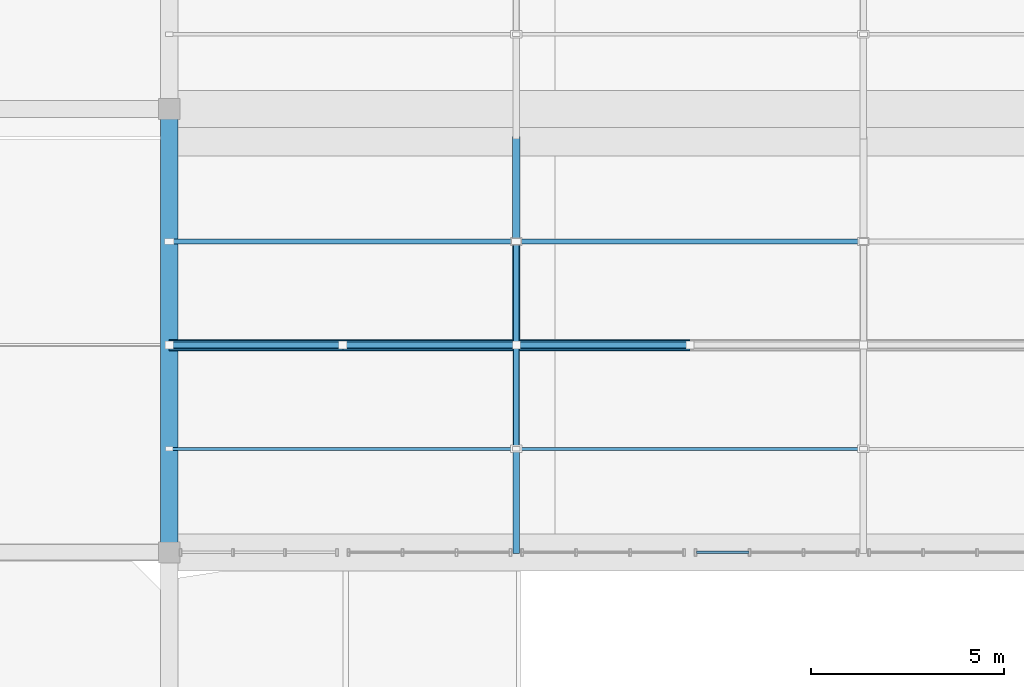
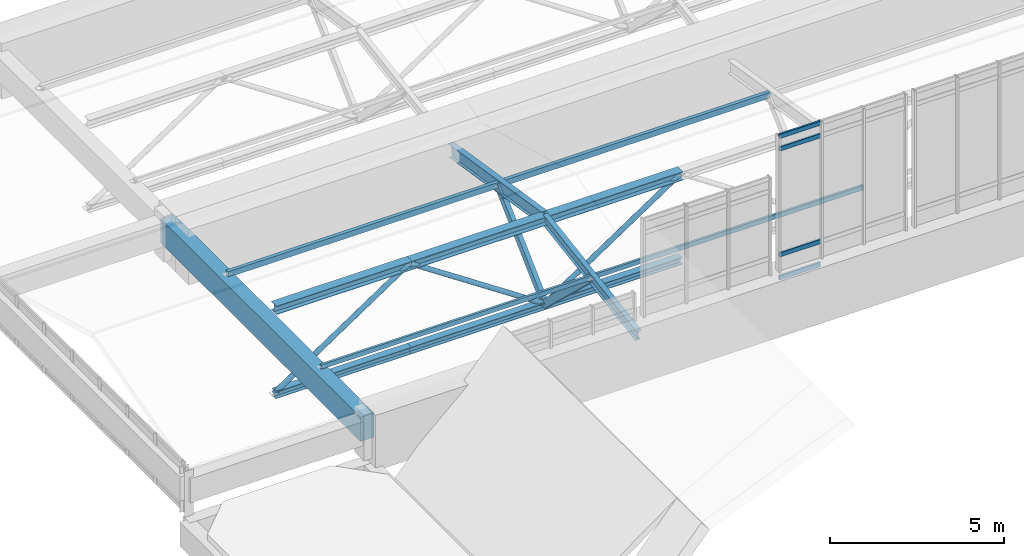
# One storey, part 49 of 82: 21 members, 1 beam, 1 element without a shape of its own.
"""IFC4 building model written with IfcOpenShell, lengths in metres."""

from ifc_helpers import new_model, si_unit, direction, frame, origin, origin_2d, place, context, subcontext, project, spatial, rectangle, hollow_rectangle, hollow_circle, i_section, extrude, material, layer, layer_set, material_profile, profile_set, type_object, element, aggregate, save


model = new_model("IFC4")

# Units and contexts
model_context = context("Model", 3, precision=1e-05, world=origin(), true_north=direction((0.0, 1.0)))
body_context = subcontext(model_context, "Body", "Model", "MODEL_VIEW")
ifc_project = project(units=[si_unit("LENGTHUNIT", "METRE"), si_unit("AREAUNIT", "SQUARE_METRE"), si_unit("VOLUMEUNIT", "CUBIC_METRE"), si_unit("PLANEANGLEUNIT", "RADIAN"), si_unit("MASSUNIT", "GRAM", prefix="KILO")], contexts=[model_context])

# Site, building, storey
site_placement = place(None, origin())
site = spatial("IfcSite", under=ifc_project, at=site_placement, CompositionType="ELEMENT")
building_placement = place(site_placement, origin())
building = spatial("IfcBuilding", under=site, at=building_placement, Name="Mersad Railyard Sports Hall", CompositionType="ELEMENT")
storey_placement = place(building_placement, frame((0.0, 0.0, 13.199951171875)))
storey = spatial("IfcBuildingStorey", under=building, at=storey_placement, Name="L03", CompositionType="ELEMENT", Elevation=13.199951171875)

# Curtain wall, members
ifc_material_1 = material(Name="Aluminium 6063-T6", Category="aluminium")
ifc_layer = layer(ifc_material_1, 0.199951171875)
ifc_layer_set = layer_set([ifc_layer], Name="Aluminium 6063-T6")
curtain_wall_type = type_object("IfcCurtainWallType", Name="ARC-CW-CW47", PredefinedType="USERDEFINED", material=ifc_layer_set)
curtain_wall_placement = place(storey_placement, origin())
curtain_wall = element("IfcCurtainWall", 1, at=curtain_wall_placement, inside=storey, type_object=curtain_wall_type, Name="Curtain wall CW47-0119", ObjectType="CURTAIN WALL", PredefinedType="USERDEFINED")
ifc_material_profile_1 = material_profile(ifc_material_1, hollow_rectangle(XDim=0.06494140625, YDim=0.14990234375, WallThickness=0.00439453125, at=origin_2d()), Name="AL TRANSOM 65x150x4.5")
ifc_profile_set_1 = profile_set([ifc_material_profile_1], Name="Aluminium 6063-T6")
member_type_1 = type_object("IfcMemberType", Name="ARC-CW-TRN02", PredefinedType="USERDEFINED", material=ifc_profile_set_1)
member_1_placement = place(storey_placement, frame((150.669921875, 73.5, 1.39013671875), z_axis=(1.0, 0.0, 0.0), x_axis=(0.0, 1.0, 0.0)))
member_1 = element("IfcMember", 2, at=member_1_placement, type_object=member_type_1, Name="CW47 Transom 1-1", ObjectType="TRANSOM", PredefinedType="USERDEFINED", context=body_context, shape_type="SweptSolid", body=[
    extrude(hollow_rectangle(XDim=0.06494140625, YDim=0.14990234375, WallThickness=0.00439453125, at=origin_2d()), origin(), (0.0, 0.0, 1.0), 1.360107421875),
])
member_2_placement = place(storey_placement, frame((150.669921875, 73.5, 2.199951171875), z_axis=(1.0, 0.0, 0.0), x_axis=(0.0, 1.0, 0.0)))
member_2 = element("IfcMember", 3, at=member_2_placement, type_object=member_type_1, Name="CW47 Transom 2-1", ObjectType="TRANSOM", PredefinedType="USERDEFINED", context=body_context, shape_type="SweptSolid", body=[
    extrude(hollow_rectangle(XDim=0.06494140625, YDim=0.14990234375, WallThickness=0.00439453125, at=origin_2d()), origin(), (0.0, 0.0, 1.0), 1.360107421875),
])
member_3_placement = place(storey_placement, frame((150.669921875, 73.5, 5.9150390625), z_axis=(1.0, 0.0, 0.0), x_axis=(0.0, 1.0, 0.0)))
member_3 = element("IfcMember", 4, at=member_3_placement, type_object=member_type_1, Name="CW47 Transom 3-1", ObjectType="TRANSOM", PredefinedType="USERDEFINED", context=body_context, shape_type="SweptSolid", body=[
    extrude(hollow_rectangle(XDim=0.06494140625, YDim=0.14990234375, WallThickness=0.00439453125, at=origin_2d()), origin(), (0.0, 0.0, 1.0), 1.360107421875),
])
member_4_placement = place(storey_placement, frame((150.669921875, 73.5, 6.35498046875), z_axis=(1.0, 0.0, 0.0), x_axis=(0.0, 1.0, 0.0)))
member_4 = element("IfcMember", 5, at=member_4_placement, type_object=member_type_1, Name="CW47 Transom 4-1", ObjectType="TRANSOM", PredefinedType="USERDEFINED", context=body_context, shape_type="SweptSolid", body=[
    extrude(hollow_rectangle(XDim=0.06494140625, YDim=0.14990234375, WallThickness=0.00439453125, at=origin_2d()), origin(), (0.0, 0.0, 1.0), 1.360107421875),
])
aggregate(curtain_wall, [member_1, member_2, member_3, member_4])

# Beam
ifc_material_2 = material(Name="Concrete C40/50", Category="concrete")
ifc_material_profile_2 = material_profile(ifc_material_2, rectangle(XDim=0.449951171875, YDim=0.85009765625, at=origin_2d()), Name="RC 450x850")
ifc_profile_set_2 = profile_set([ifc_material_profile_2], Name="Concrete C40/50")
beam_type = type_object("IfcBeamType", Name="STR-BM-B02", PredefinedType="BEAM", material=ifc_profile_set_2)
beam_placement = place(storey_placement, frame((137.0, 73.5, 0.925048828125), z_axis=(0.0, 1.0, 0.0), x_axis=(-1.0, 0.0, 0.0)))
element("IfcBeam", 6, at=beam_placement, inside=storey, type_object=beam_type, Name="Beam B02-0912", PredefinedType="BEAM", context=body_context, shape_type="SweptSolid", body=[
    extrude(rectangle(XDim=0.449951171875, YDim=0.85009765625, at=origin_2d()), origin(), (0.0, 0.0, 1.0), 11.5),
])

# Members
ifc_material_3 = material(Name="Steel S355", Category="steel")
ifc_material_profile_3 = material_profile(ifc_material_3, hollow_circle(Radius=0.084228515625, WallThickness=0.008056640625, at=origin_2d()), Name="CHS 168.3x8")
ifc_profile_set_3 = profile_set([ifc_material_profile_3], Name="Steel S355")
member_type_2 = type_object("IfcMemberType", Name="STR-MEM-BR03", PredefinedType="BRACE", material=ifc_profile_set_3)
for number, where, z_axis, x_axis, name in (
    (7, (137.0, 78.875, -1.14990234375), (0.832050294338, 0.0, 0.554700196225), (0.0, 1.0, 0.0), "Structural member BR03-0216"),
    (8, (141.5, 78.875, 1.85009765625), (0.832050294338, 0.0, -0.554700196225), (0.0, 1.0, 0.0), "Structural member BR03-0219"),
    (9, (146.0, 78.875, -1.14990234375), (0.832050294338, 0.0, 0.554700196225), (0.0, 1.0, 0.0), "Structural member BR03-0222"),
):
    element("IfcMember", number, at=place(storey_placement, frame(where, z_axis=z_axis, x_axis=x_axis)), inside=storey, type_object=member_type_2, Name=name, PredefinedType="BRACE", context=body_context, shape_type="SweptSolid", body=[
        extrude(hollow_circle(Radius=0.084228515625, WallThickness=0.008056640625, at=origin_2d()), origin(), (0.0, 0.0, 1.0), 5.408447265625),
    ])
ifc_material_profile_4 = material_profile(ifc_material_3, i_section(OverallWidth=0.239990234375, OverallDepth=0.239990234375, WebThickness=0.010009765625, FlangeThickness=0.01708984375, at=origin_2d()), Name="HEB 240")
ifc_profile_set_4 = profile_set([ifc_material_profile_4], Name="Steel S355")
member_type_3 = type_object("IfcMemberType", Name="STR-MEM-CH01", PredefinedType="CHORD", material=ifc_profile_set_4)
for number, where, z_axis, x_axis, name in (
    (10, (137.0, 78.875, -1.14990234375), (1.0, 0.0, 0.0), (0.0, 1.0, 0.0), "Structural member CH01-0215"),
    (11, (141.5, 78.875, -1.14990234375), (1.0, 0.0, 0.0), (0.0, 1.0, 0.0), "Structural member CH01-0218"),
    (12, (146.0, 78.875, -1.14990234375), (1.0, 0.0, 0.0), (0.0, 1.0, 0.0), "Structural member CH01-0221"),
):
    element("IfcMember", number, at=place(storey_placement, frame(where, z_axis=z_axis, x_axis=x_axis)), inside=storey, type_object=member_type_3, Name=name, PredefinedType="CHORD", context=body_context, shape_type="SweptSolid", body=[
        extrude(i_section(OverallWidth=0.239990234375, OverallDepth=0.239990234375, WebThickness=0.010009765625, FlangeThickness=0.01708984375, at=origin_2d()), origin(), (0.0, 0.0, 1.0), 4.5),
    ])
ifc_material_profile_5 = material_profile(ifc_material_3, i_section(OverallWidth=0.300048828125, OverallDepth=0.300048828125, WebThickness=0.010986328125, FlangeThickness=0.01904296875, at=origin_2d()), Name="HEB 300")
ifc_profile_set_5 = profile_set([ifc_material_profile_5], Name="Steel S355")
member_type_4 = type_object("IfcMemberType", Name="STR-MEM-CH02", PredefinedType="CHORD", material=ifc_profile_set_5)
for number, where, z_axis, x_axis, name in (
    (13, (137.0, 78.875, 1.85009765625), (1.0, 0.0, 0.0), (0.0, 1.0, 0.0), "Structural member CH02-0214"),
    (14, (141.5, 78.875, 1.85009765625), (1.0, 0.0, 0.0), (0.0, 1.0, 0.0), "Structural member CH02-0217"),
    (15, (146.0, 78.875, 1.85009765625), (1.0, 0.0, 0.0), (0.0, 1.0, 0.0), "Structural member CH02-0220"),
):
    element("IfcMember", number, at=place(storey_placement, frame(where, z_axis=z_axis, x_axis=x_axis)), inside=storey, type_object=member_type_4, Name=name, PredefinedType="CHORD", context=body_context, shape_type="SweptSolid", body=[
        extrude(i_section(OverallWidth=0.300048828125, OverallDepth=0.300048828125, WebThickness=0.010986328125, FlangeThickness=0.01904296875, at=origin_2d()), origin(), (0.0, 0.0, 1.0), 4.5),
    ])
ifc_material_profile_6 = material_profile(ifc_material_3, hollow_rectangle(XDim=0.080078125, YDim=0.159912109375, WallThickness=0.008056640625, at=origin_2d()), Name="RHS 160x80x8")
ifc_profile_set_6 = profile_set([ifc_material_profile_6], Name="Steel S355")
member_type_5 = type_object("IfcMemberType", Name="STR-MEM-PU03", PredefinedType="PURLIN", material=ifc_profile_set_6)
for number, where, z_axis, x_axis, name in (
    (16, (137.0, 76.1875, 1.425048828125), (1.0, 0.0, 0.0), (0.0, 1.0, 0.0), "Structural member PU03-0250"),
    (17, (146.0, 76.1875, 1.425048828125), (1.0, 0.0, 0.0), (0.0, 1.0, 0.0), "Structural member PU03-0252"),
):
    element("IfcMember", number, at=place(storey_placement, frame(where, z_axis=z_axis, x_axis=x_axis)), inside=storey, type_object=member_type_5, Name=name, PredefinedType="PURLIN", context=body_context, shape_type="SweptSolid", body=[
        extrude(hollow_rectangle(XDim=0.080078125, YDim=0.159912109375, WallThickness=0.008056640625, at=origin_2d()), origin(), (0.0, 0.0, 1.0), 9.0),
    ])
ifc_material_profile_7 = material_profile(ifc_material_3, i_section(OverallWidth=0.169921875, OverallDepth=0.360107421875, WebThickness=0.008056640625, FlangeThickness=0.0126953125, at=origin_2d()), Name="IPE 360")
ifc_profile_set_7 = profile_set([ifc_material_profile_7], Name="Steel S355")
member_type_6 = type_object("IfcMemberType", Name="STR-MEM-RF01", PredefinedType="RAFTER", material=ifc_profile_set_7)
member_5_placement = place(storey_placement, frame((146.0, 73.5, 1.0), z_axis=(0.0, 0.9877229191, 0.156215988568), x_axis=(-1.0, 0.0, 0.0)))
element("IfcMember", 18, at=member_5_placement, inside=storey, type_object=member_type_6, Name="Structural member RF01-0238", PredefinedType="RAFTER", context=body_context, shape_type="SweptSolid", body=[
    extrude(i_section(OverallWidth=0.169921875, OverallDepth=0.360107421875, WebThickness=0.008056640625, FlangeThickness=0.0126953125, at=origin_2d()), origin(), (0.0, 0.0, 1.0), 5.44189453125),
])
ifc_material_profile_8 = material_profile(ifc_material_3, i_section(OverallWidth=0.18994140625, OverallDepth=0.449951171875, WebThickness=0.009521484375, FlangeThickness=0.0146484375, at=origin_2d()), Name="IPE 450")
ifc_profile_set_8 = profile_set([ifc_material_profile_8], Name="Steel S355")
member_type_7 = type_object("IfcMemberType", Name="STR-MEM-RF02", PredefinedType="RAFTER", material=ifc_profile_set_8)
member_6_placement = place(storey_placement, frame((146.0, 84.25, 1.0), z_axis=(0.0, -0.9877229191, 0.156215988568), x_axis=(1.0, 0.0, 0.0)))
element("IfcMember", 19, at=member_6_placement, inside=storey, type_object=member_type_7, Name="Structural member RF02-0239", PredefinedType="RAFTER", context=body_context, shape_type="SweptSolid", body=[
    extrude(i_section(OverallWidth=0.18994140625, OverallDepth=0.449951171875, WebThickness=0.009521484375, FlangeThickness=0.0146484375, at=origin_2d()), origin(), (0.0, 0.0, 1.0), 5.44189453125),
])
ifc_material_profile_9 = material_profile(ifc_material_3, hollow_rectangle(XDim=0.1201171875, YDim=0.199951171875, WallThickness=0.010009765625, at=origin_2d()), Name="RHS 200x120x10")
ifc_profile_set_9 = profile_set([ifc_material_profile_9], Name="Steel S355")
member_type_8 = type_object("IfcMemberType", Name="STR-MEM-SR01", PredefinedType="STRUT", material=ifc_profile_set_9)
for number, where, z_axis, x_axis, name in (
    (20, (137.0, 81.5625, 1.425048828125), (1.0, 0.0, 0.0), (0.0, 1.0, 0.0), "Structural member SR01-0251"),
    (21, (146.0, 81.5625, 1.425048828125), (1.0, 0.0, 0.0), (0.0, 1.0, 0.0), "Structural member SR01-0253"),
):
    element("IfcMember", number, at=place(storey_placement, frame(where, z_axis=z_axis, x_axis=x_axis)), inside=storey, type_object=member_type_8, Name=name, PredefinedType="STRUT", context=body_context, shape_type="SweptSolid", body=[
        extrude(hollow_rectangle(XDim=0.1201171875, YDim=0.199951171875, WallThickness=0.010009765625, at=origin_2d()), origin(), (0.0, 0.0, 1.0), 9.0),
    ])
ifc_material_profile_10 = material_profile(ifc_material_3, hollow_rectangle(XDim=0.14990234375, YDim=0.25, WallThickness=0.012451171875, at=origin_2d()), Name="RHS 250x150x12.5")
ifc_profile_set_10 = profile_set([ifc_material_profile_10], Name="Steel S355")
member_type_9 = type_object("IfcMemberType", Name="STR-MEM-SR02", PredefinedType="STRUT", material=ifc_profile_set_10)
for number, where, z_axis, x_axis, name in (
    (22, (146.0, 78.875, -1.14990234375), (0.0, -0.72541391908, 0.688312898328), (1.0, 0.0, 0.0), "Structural member SR02-0240"),
    (23, (146.0, 78.875, -1.14990234375), (0.0, 0.72541391908, 0.688312898328), (-1.0, 0.0, 0.0), "Structural member SR02-0241"),
):
    element("IfcMember", number, at=place(storey_placement, frame(where, z_axis=z_axis, x_axis=x_axis)), inside=storey, type_object=member_type_9, Name=name, PredefinedType="STRUT", context=body_context, shape_type="SweptSolid", body=[
        extrude(hollow_rectangle(XDim=0.14990234375, YDim=0.25, WallThickness=0.012451171875, at=origin_2d()), origin(), (0.0, 0.0, 1.0), 3.704833984375),
    ])

save(model, "model.ifc")
